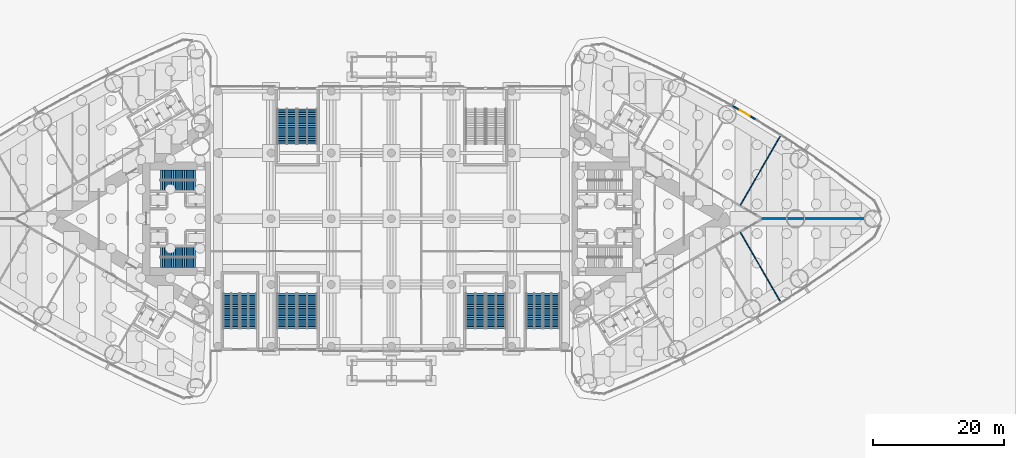
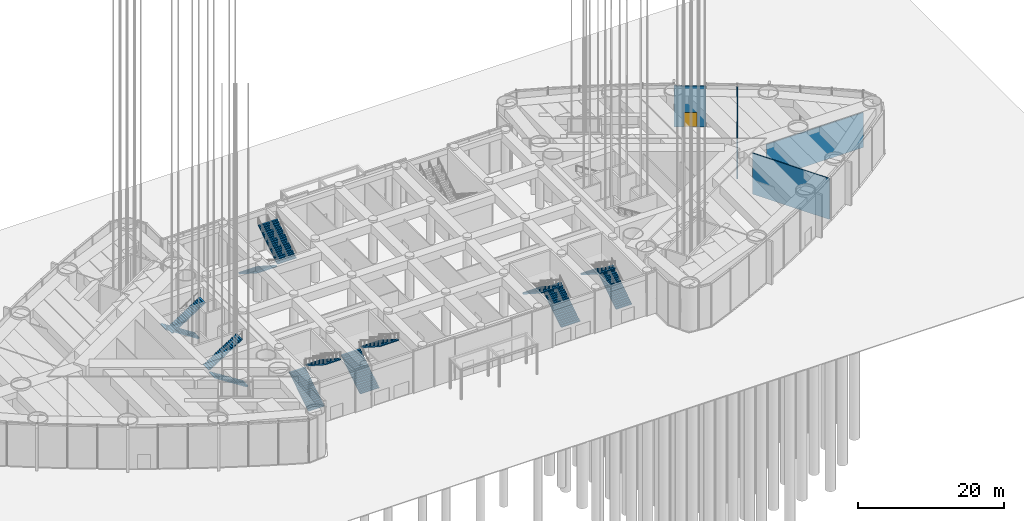
# One storey, part 25 of 43: 14 stair flights, 4 walls, 1 door, 1 opening, 7 elements without a shape of their own.
"""IFC4 building model written with IfcOpenShell, lengths in metres."""

from ifc_helpers import new_model, si_unit, direction, frame, frame_2d, origin, place, context, subcontext, project, spatial, polyline, rectangle, outline, extrude, material, layer, layer_set, type_object, element, fill, aggregate, save


model = new_model("IFC4")

# Units and contexts
model_context = context("Model", 3, precision=1e-05, world=origin(), true_north=direction((0.0, 1.0)))
body_context = subcontext(model_context, "Body", "Model", "MODEL_VIEW")
ifc_project = project(units=[si_unit("LENGTHUNIT", "METRE"), si_unit("AREAUNIT", "SQUARE_METRE"), si_unit("VOLUMEUNIT", "CUBIC_METRE"), si_unit("PLANEANGLEUNIT", "RADIAN"), si_unit("MASSUNIT", "GRAM", prefix="KILO")], contexts=[model_context])

# Site, building, storey
site_placement = place(None, origin())
site = spatial("IfcSite", under=ifc_project, at=site_placement, CompositionType="ELEMENT")
building_placement = place(site_placement, origin())
building = spatial("IfcBuilding", under=site, at=building_placement, Name="Lancet Gate Hotel", CompositionType="ELEMENT")
storey_placement = place(building_placement, origin())
storey = spatial("IfcBuildingStorey", under=building, at=storey_placement, Name="L00", CompositionType="ELEMENT", Elevation=0.0)

# Wall, opening, door
ifc_material_1 = material(Name="Glazed aluminium screen", Category="aluminium")
ifc_layer_1 = layer(ifc_material_1, 0.199951171875)
ifc_layer_set_1 = layer_set([ifc_layer_1], Name="Glazed entrance screen 200")
wall_type_1 = type_object("IfcWallType", Name="Glazed entrance screen 200", PredefinedType="STANDARD", material=ifc_layer_set_1)
wall_1_placement = place(storey_placement, frame((51.838623046875, 17.208740234375, 0.0), z_axis=(0.0, 0.0, 1.0), x_axis=(0.864866989785, -0.502001085637, 0.0)))
wall_1 = element("IfcWall", 1, at=wall_1_placement, inside=storey, type_object=wall_type_1, Name="T2 entrance screen L00", PredefinedType="STANDARD", context=body_context, shape_type="SweptSolid", body=[
    extrude(rectangle(XDim=4.337646484375, YDim=0.199951171875, at=frame_2d((2.1689453125, 0.0))), origin(), (0.0, 0.0, 1.0), 6.85009765625),
])
opening_placement = place(wall_1_placement, frame((1.319091796875, 0.0, 0.0)))
opening = element("IfcOpeningElement", 2, at=opening_placement, cuts=wall_1, Name="Opening T2-ENT-N", PredefinedType="OPENING", context=body_context, shape_type="SweptSolid", body=[
    extrude(rectangle(XDim=1.800048828125, YDim=2.39990234375, at=frame_2d((0.89990234375, 1.199951171875))), frame((0.0, 0.10986328125, 0.0), z_axis=(0.0, -1.0, 0.0), x_axis=(1.0, 0.0, 0.0)), (0.0, 0.0, 1.0), 0.219970703125),
])
ifc_material_2 = material(Name="Glazed aluminium door set", Category="aluminium")
door_type = type_object("IfcDoorType", Name="Entrance door 1800", OperationType="DOUBLE_DOOR_SINGLE_SWING", PredefinedType="DOOR", material=ifc_material_2)
door_placement = place(opening_placement, origin())
door = element("IfcDoor", 3, at=door_placement, inside=storey, type_object=door_type, Name="T2-ENT-N", OperationType="SINGLE_SWING_LEFT", OverallHeight=2.39990234375, OverallWidth=1.800048828125, PredefinedType="DOOR", context=body_context, shape_type="SweptSolid", body=[
    extrude(rectangle(XDim=1.800048828125, YDim=2.39990234375, at=frame_2d((0.89990234375, 1.199951171875))), frame((0.0, 0.02490234375, 0.0), z_axis=(0.0, -1.0, 0.0), x_axis=(1.0, 0.0, 0.0)), (0.0, 0.0, 1.0), 0.050048828125),
])
fill(opening, door)

# Walls
ifc_material_3 = material(Name="Gypsum board partition")
ifc_layer_2 = layer(ifc_material_3, 0.14990234375)
ifc_layer_set_2 = layer_set([ifc_layer_2], Name="Party wall 150")
wall_type_2 = type_object("IfcWallType", Name="Party wall 150", PredefinedType="PARTITIONING", material=ifc_layer_set_2)
for number, where, z_axis, x_axis, name in (
    (4, (53.11474609375, -2.0712890625, 0.0), (0.0, 0.0, 1.0), (0.500000975677, -0.866024840476, 0.0), "T2 party wall 150 L00"),
    (5, (53.11474609375, 2.0712890625, 0.0), (0.0, 0.0, 1.0), (0.500000975677, 0.866024840476, 0.0), "T2 party wall 150 L00"),
):
    element("IfcWall", number, at=place(storey_placement, frame(where, z_axis=z_axis, x_axis=x_axis)), inside=storey, type_object=wall_type_2, Name=name, PredefinedType="PARTITIONING", context=body_context, shape_type="SweptSolid", body=[
        extrude(rectangle(XDim=12.19091796875, YDim=0.14990234375, at=frame_2d((6.095458984375, 0.0))), origin(), (0.0, 0.0, 1.0), 6.85009765625),
    ])
wall_2_placement = place(storey_placement, frame((56.502197265625, 0.0, 0.0), z_axis=(0.0, 0.0, 1.0), x_axis=(1.0, 0.0, 0.0)))
element("IfcWall", 6, at=wall_2_placement, inside=storey, type_object=wall_type_2, Name="T2 party wall 150 L00", PredefinedType="PARTITIONING", context=body_context, shape_type="SweptSolid", body=[
    extrude(rectangle(XDim=15.31689453125, YDim=0.14990234375, at=frame_2d((7.658447265625, 0.0))), origin(), (0.0, 0.0, 1.0), 5.85009765625),
])

# Stair, stair flights
ifc_material_4 = material(Name="Exit stair 40 risers 1500")
stair_type_1 = type_object("IfcStairType", Name="Exit stair 40 risers 1500", PredefinedType="HALF_TURN_STAIR", material=ifc_material_4)
stair_1_placement = place(storey_placement, origin())
stair_1 = element("IfcStair", 7, at=stair_1_placement, inside=storey, type_object=stair_type_1, Name="T1 stair 1 L00", PredefinedType="HALF_TURN_STAIR")
ifc_material_5 = material(Name="Stair flight 20 risers 180 rise 1500")
stair_flight_type_1 = type_object("IfcStairFlightType", Name="Stair flight 20 risers 180 rise 1500", PredefinedType="STRAIGHT", material=ifc_material_5)
stair_flight_1_placement = place(storey_placement, frame((-29.800048828125, 6.64990234375, 0.0), z_axis=(0.0, 0.0, 1.0), x_axis=(-1.0, 0.0, 0.0)))
stair_flight_1 = element("IfcStairFlight", 8, at=stair_flight_1_placement, type_object=stair_flight_type_1, Name="ST1 flight 1", NumberOfRisers=20, NumberOfTreads=19, PredefinedType="STRAIGHT", RiserHeight=0.18, TreadLength=0.28, context=body_context, shape_type="SweptSolid", body=[
    extrude(outline(polyline([(0.0, 0.0), (0.0, 0.179931640625), (0.280029296875, 0.179931640625), (0.280029296875, 0.360107421875), (0.56005859375, 0.360107421875), (0.56005859375, 0.5400390625), (0.840087890625, 0.5400390625), (0.840087890625, 0.719970703125), (1.1201171875, 0.719970703125), (1.1201171875, 0.89990234375), (1.39990234375, 0.89990234375), (1.39990234375, 1.080078125), (1.679931640625, 1.080078125), (1.679931640625, 1.260009765625), (1.9599609375, 1.260009765625), (1.9599609375, 1.43994140625), (2.239990234375, 1.43994140625), (2.239990234375, 1.6201171875), (2.52001953125, 1.6201171875), (2.52001953125, 1.800048828125), (2.800048828125, 1.800048828125), (2.800048828125, 1.97998046875), (3.080078125, 1.97998046875), (3.080078125, 2.159912109375), (3.360107421875, 2.159912109375), (3.360107421875, 2.340087890625), (3.639892578125, 2.340087890625), (3.639892578125, 2.52001953125), (3.919921875, 2.52001953125), (3.919921875, 2.699951171875), (4.199951171875, 2.699951171875), (4.199951171875, 2.8798828125), (4.47998046875, 2.8798828125), (4.47998046875, 3.06005859375), (4.760009765625, 3.06005859375), (4.760009765625, 3.239990234375), (5.0400390625, 3.239990234375), (5.0400390625, 3.419921875), (5.320068359375, 3.419921875), (5.320068359375, 3.60009765625), (5.320068359375, 3.24169921875), (0.277099609375, 0.0), (0.0, 0.0)])), frame((0.0, 0.75, 0.0), z_axis=(0.0, -1.0, 0.0), x_axis=(1.0, 0.0, 0.0)), (0.0, 0.0, 1.0), 1.5),
])
stair_flight_2_placement = place(storey_placement, frame((-35.1201171875, 5.050048828125, 3.60009765625), z_axis=(0.0, 0.0, 1.0), x_axis=(1.0, 0.0, 0.0)))
stair_flight_2 = element("IfcStairFlight", 9, at=stair_flight_2_placement, type_object=stair_flight_type_1, Name="ST1 flight 2", NumberOfRisers=20, NumberOfTreads=19, PredefinedType="STRAIGHT", RiserHeight=0.18, TreadLength=0.28, context=body_context, shape_type="SweptSolid", body=[
    extrude(outline(polyline([(0.0, 0.0), (0.0, 0.179931640625), (0.280029296875, 0.179931640625), (0.280029296875, 0.360107421875), (0.56005859375, 0.360107421875), (0.56005859375, 0.5400390625), (0.840087890625, 0.5400390625), (0.840087890625, 0.719970703125), (1.1201171875, 0.719970703125), (1.1201171875, 0.89990234375), (1.39990234375, 0.89990234375), (1.39990234375, 1.080078125), (1.679931640625, 1.080078125), (1.679931640625, 1.260009765625), (1.9599609375, 1.260009765625), (1.9599609375, 1.43994140625), (2.239990234375, 1.43994140625), (2.239990234375, 1.6201171875), (2.52001953125, 1.6201171875), (2.52001953125, 1.800048828125), (2.800048828125, 1.800048828125), (2.800048828125, 1.97998046875), (3.080078125, 1.97998046875), (3.080078125, 2.159912109375), (3.360107421875, 2.159912109375), (3.360107421875, 2.340087890625), (3.639892578125, 2.340087890625), (3.639892578125, 2.52001953125), (3.919921875, 2.52001953125), (3.919921875, 2.699951171875), (4.199951171875, 2.699951171875), (4.199951171875, 2.8798828125), (4.47998046875, 2.8798828125), (4.47998046875, 3.06005859375), (4.760009765625, 3.06005859375), (4.760009765625, 3.239990234375), (5.0400390625, 3.239990234375), (5.0400390625, 3.419921875), (5.320068359375, 3.419921875), (5.320068359375, 3.60009765625), (5.320068359375, 3.24169921875), (0.277099609375, 0.0), (0.0, 0.0)])), frame((0.0, 0.75, 0.0), z_axis=(0.0, -1.0, 0.0), x_axis=(1.0, 0.0, 0.0)), (0.0, 0.0, 1.0), 1.5),
])
aggregate(stair_1, [stair_flight_1, stair_flight_2])

stair_2_placement = place(storey_placement, origin())
stair_2 = element("IfcStair", 10, at=stair_2_placement, inside=storey, type_object=stair_type_1, Name="T1 stair 2 L00", PredefinedType="HALF_TURN_STAIR")
stair_flight_3_placement = place(storey_placement, frame((-29.800048828125, -6.64990234375, 0.0), z_axis=(0.0, 0.0, 1.0), x_axis=(-1.0, 0.0, 0.0)))
stair_flight_3 = element("IfcStairFlight", 11, at=stair_flight_3_placement, type_object=stair_flight_type_1, Name="ST2 flight 1", NumberOfRisers=20, NumberOfTreads=19, PredefinedType="STRAIGHT", RiserHeight=0.18, TreadLength=0.28, context=body_context, shape_type="SweptSolid", body=[
    extrude(outline(polyline([(0.0, 0.0), (0.0, 0.179931640625), (0.280029296875, 0.179931640625), (0.280029296875, 0.360107421875), (0.56005859375, 0.360107421875), (0.56005859375, 0.5400390625), (0.840087890625, 0.5400390625), (0.840087890625, 0.719970703125), (1.1201171875, 0.719970703125), (1.1201171875, 0.89990234375), (1.39990234375, 0.89990234375), (1.39990234375, 1.080078125), (1.679931640625, 1.080078125), (1.679931640625, 1.260009765625), (1.9599609375, 1.260009765625), (1.9599609375, 1.43994140625), (2.239990234375, 1.43994140625), (2.239990234375, 1.6201171875), (2.52001953125, 1.6201171875), (2.52001953125, 1.800048828125), (2.800048828125, 1.800048828125), (2.800048828125, 1.97998046875), (3.080078125, 1.97998046875), (3.080078125, 2.159912109375), (3.360107421875, 2.159912109375), (3.360107421875, 2.340087890625), (3.639892578125, 2.340087890625), (3.639892578125, 2.52001953125), (3.919921875, 2.52001953125), (3.919921875, 2.699951171875), (4.199951171875, 2.699951171875), (4.199951171875, 2.8798828125), (4.47998046875, 2.8798828125), (4.47998046875, 3.06005859375), (4.760009765625, 3.06005859375), (4.760009765625, 3.239990234375), (5.0400390625, 3.239990234375), (5.0400390625, 3.419921875), (5.320068359375, 3.419921875), (5.320068359375, 3.60009765625), (5.320068359375, 3.24169921875), (0.277099609375, 0.0), (0.0, 0.0)])), frame((0.0, 0.75, 0.0), z_axis=(0.0, -1.0, 0.0), x_axis=(1.0, 0.0, 0.0)), (0.0, 0.0, 1.0), 1.5),
])
stair_flight_4_placement = place(storey_placement, frame((-35.1201171875, -5.050048828125, 3.60009765625), z_axis=(0.0, 0.0, 1.0), x_axis=(1.0, 0.0, 0.0)))
stair_flight_4 = element("IfcStairFlight", 12, at=stair_flight_4_placement, type_object=stair_flight_type_1, Name="ST2 flight 2", NumberOfRisers=20, NumberOfTreads=19, PredefinedType="STRAIGHT", RiserHeight=0.18, TreadLength=0.28, context=body_context, shape_type="SweptSolid", body=[
    extrude(outline(polyline([(0.0, 0.0), (0.0, 0.179931640625), (0.280029296875, 0.179931640625), (0.280029296875, 0.360107421875), (0.56005859375, 0.360107421875), (0.56005859375, 0.5400390625), (0.840087890625, 0.5400390625), (0.840087890625, 0.719970703125), (1.1201171875, 0.719970703125), (1.1201171875, 0.89990234375), (1.39990234375, 0.89990234375), (1.39990234375, 1.080078125), (1.679931640625, 1.080078125), (1.679931640625, 1.260009765625), (1.9599609375, 1.260009765625), (1.9599609375, 1.43994140625), (2.239990234375, 1.43994140625), (2.239990234375, 1.6201171875), (2.52001953125, 1.6201171875), (2.52001953125, 1.800048828125), (2.800048828125, 1.800048828125), (2.800048828125, 1.97998046875), (3.080078125, 1.97998046875), (3.080078125, 2.159912109375), (3.360107421875, 2.159912109375), (3.360107421875, 2.340087890625), (3.639892578125, 2.340087890625), (3.639892578125, 2.52001953125), (3.919921875, 2.52001953125), (3.919921875, 2.699951171875), (4.199951171875, 2.699951171875), (4.199951171875, 2.8798828125), (4.47998046875, 2.8798828125), (4.47998046875, 3.06005859375), (4.760009765625, 3.06005859375), (4.760009765625, 3.239990234375), (5.0400390625, 3.239990234375), (5.0400390625, 3.419921875), (5.320068359375, 3.419921875), (5.320068359375, 3.60009765625), (5.320068359375, 3.24169921875), (0.277099609375, 0.0), (0.0, 0.0)])), frame((0.0, 0.75, 0.0), z_axis=(0.0, -1.0, 0.0), x_axis=(1.0, 0.0, 0.0)), (0.0, 0.0, 1.0), 1.5),
])
aggregate(stair_2, [stair_flight_3, stair_flight_4])

ifc_material_6 = material(Name="Podium stair 40 risers 2500")
stair_type_2 = type_object("IfcStairType", Name="Podium stair 40 risers 2500", PredefinedType="HALF_TURN_STAIR", material=ifc_material_6)
stair_3_placement = place(storey_placement, origin())
stair_3 = element("IfcStair", 13, at=stair_3_placement, inside=storey, type_object=stair_type_2, Name="Podium stair PS5 L00", PredefinedType="HALF_TURN_STAIR")
ifc_material_7 = material(Name="Stair flight 20 risers 180 rise 2500")
stair_flight_type_2 = type_object("IfcStairFlightType", Name="Stair flight 20 risers 180 rise 2500", PredefinedType="STRAIGHT", material=ifc_material_7)
stair_flight_5_placement = place(storey_placement, frame((24.35009765625, -16.699951171875, 0.0), z_axis=(0.0, 0.0, 1.0), x_axis=(0.0, 1.0, 0.0)))
stair_flight_5 = element("IfcStairFlight", 14, at=stair_flight_5_placement, type_object=stair_flight_type_2, Name="PS5 flight 1", NumberOfRisers=20, NumberOfTreads=19, PredefinedType="STRAIGHT", RiserHeight=0.18, TreadLength=0.28, context=body_context, shape_type="SweptSolid", body=[
    extrude(outline(polyline([(0.0, 0.0), (0.0, 0.179931640625), (0.280029296875, 0.179931640625), (0.280029296875, 0.360107421875), (0.56005859375, 0.360107421875), (0.56005859375, 0.5400390625), (0.840087890625, 0.5400390625), (0.840087890625, 0.719970703125), (1.1201171875, 0.719970703125), (1.1201171875, 0.89990234375), (1.39990234375, 0.89990234375), (1.39990234375, 1.080078125), (1.679931640625, 1.080078125), (1.679931640625, 1.260009765625), (1.9599609375, 1.260009765625), (1.9599609375, 1.43994140625), (2.239990234375, 1.43994140625), (2.239990234375, 1.6201171875), (2.52001953125, 1.6201171875), (2.52001953125, 1.800048828125), (2.800048828125, 1.800048828125), (2.800048828125, 1.97998046875), (3.080078125, 1.97998046875), (3.080078125, 2.159912109375), (3.360107421875, 2.159912109375), (3.360107421875, 2.340087890625), (3.639892578125, 2.340087890625), (3.639892578125, 2.52001953125), (3.919921875, 2.52001953125), (3.919921875, 2.699951171875), (4.199951171875, 2.699951171875), (4.199951171875, 2.8798828125), (4.47998046875, 2.8798828125), (4.47998046875, 3.06005859375), (4.760009765625, 3.06005859375), (4.760009765625, 3.239990234375), (5.0400390625, 3.239990234375), (5.0400390625, 3.419921875), (5.320068359375, 3.419921875), (5.320068359375, 3.60009765625), (5.320068359375, 3.24169921875), (0.277099609375, 0.0), (0.0, 0.0)])), frame((0.0, 1.25, 0.0), z_axis=(0.0, -1.0, 0.0), x_axis=(1.0, 0.0, 0.0)), (0.0, 0.0, 1.0), 2.5),
])
stair_flight_6_placement = place(storey_placement, frame((21.75, -11.3798828125, 3.60009765625), z_axis=(0.0, 0.0, 1.0), x_axis=(0.0, -1.0, 0.0)))
stair_flight_6 = element("IfcStairFlight", 15, at=stair_flight_6_placement, type_object=stair_flight_type_2, Name="PS5 flight 2", NumberOfRisers=20, NumberOfTreads=19, PredefinedType="STRAIGHT", RiserHeight=0.18, TreadLength=0.28, context=body_context, shape_type="SweptSolid", body=[
    extrude(outline(polyline([(0.0, 0.0), (0.0, 0.179931640625), (0.280029296875, 0.179931640625), (0.280029296875, 0.360107421875), (0.56005859375, 0.360107421875), (0.56005859375, 0.5400390625), (0.840087890625, 0.5400390625), (0.840087890625, 0.719970703125), (1.1201171875, 0.719970703125), (1.1201171875, 0.89990234375), (1.39990234375, 0.89990234375), (1.39990234375, 1.080078125), (1.679931640625, 1.080078125), (1.679931640625, 1.260009765625), (1.9599609375, 1.260009765625), (1.9599609375, 1.43994140625), (2.239990234375, 1.43994140625), (2.239990234375, 1.6201171875), (2.52001953125, 1.6201171875), (2.52001953125, 1.800048828125), (2.800048828125, 1.800048828125), (2.800048828125, 1.97998046875), (3.080078125, 1.97998046875), (3.080078125, 2.159912109375), (3.360107421875, 2.159912109375), (3.360107421875, 2.340087890625), (3.639892578125, 2.340087890625), (3.639892578125, 2.52001953125), (3.919921875, 2.52001953125), (3.919921875, 2.699951171875), (4.199951171875, 2.699951171875), (4.199951171875, 2.8798828125), (4.47998046875, 2.8798828125), (4.47998046875, 3.06005859375), (4.760009765625, 3.06005859375), (4.760009765625, 3.239990234375), (5.0400390625, 3.239990234375), (5.0400390625, 3.419921875), (5.320068359375, 3.419921875), (5.320068359375, 3.60009765625), (5.320068359375, 3.24169921875), (0.277099609375, 0.0), (0.0, 0.0)])), frame((0.0, 1.25, 0.0), z_axis=(0.0, -1.0, 0.0), x_axis=(1.0, 0.0, 0.0)), (0.0, 0.0, 1.0), 2.5),
])
aggregate(stair_3, [stair_flight_5, stair_flight_6])

stair_4_placement = place(storey_placement, origin())
stair_4 = element("IfcStair", 16, at=stair_4_placement, inside=storey, type_object=stair_type_2, Name="Podium stair PS6 L00", PredefinedType="HALF_TURN_STAIR")
stair_flight_7_placement = place(storey_placement, frame((-24.35009765625, -16.699951171875, 0.0), z_axis=(0.0, 0.0, 1.0), x_axis=(0.0, 1.0, 0.0)))
stair_flight_7 = element("IfcStairFlight", 17, at=stair_flight_7_placement, type_object=stair_flight_type_2, Name="PS6 flight 1", NumberOfRisers=20, NumberOfTreads=19, PredefinedType="STRAIGHT", RiserHeight=0.18, TreadLength=0.28, context=body_context, shape_type="SweptSolid", body=[
    extrude(outline(polyline([(0.0, 0.0), (0.0, 0.179931640625), (0.280029296875, 0.179931640625), (0.280029296875, 0.360107421875), (0.56005859375, 0.360107421875), (0.56005859375, 0.5400390625), (0.840087890625, 0.5400390625), (0.840087890625, 0.719970703125), (1.1201171875, 0.719970703125), (1.1201171875, 0.89990234375), (1.39990234375, 0.89990234375), (1.39990234375, 1.080078125), (1.679931640625, 1.080078125), (1.679931640625, 1.260009765625), (1.9599609375, 1.260009765625), (1.9599609375, 1.43994140625), (2.239990234375, 1.43994140625), (2.239990234375, 1.6201171875), (2.52001953125, 1.6201171875), (2.52001953125, 1.800048828125), (2.800048828125, 1.800048828125), (2.800048828125, 1.97998046875), (3.080078125, 1.97998046875), (3.080078125, 2.159912109375), (3.360107421875, 2.159912109375), (3.360107421875, 2.340087890625), (3.639892578125, 2.340087890625), (3.639892578125, 2.52001953125), (3.919921875, 2.52001953125), (3.919921875, 2.699951171875), (4.199951171875, 2.699951171875), (4.199951171875, 2.8798828125), (4.47998046875, 2.8798828125), (4.47998046875, 3.06005859375), (4.760009765625, 3.06005859375), (4.760009765625, 3.239990234375), (5.0400390625, 3.239990234375), (5.0400390625, 3.419921875), (5.320068359375, 3.419921875), (5.320068359375, 3.60009765625), (5.320068359375, 3.24169921875), (0.277099609375, 0.0), (0.0, 0.0)])), frame((0.0, 1.25, 0.0), z_axis=(0.0, -1.0, 0.0), x_axis=(1.0, 0.0, 0.0)), (0.0, 0.0, 1.0), 2.5),
])
stair_flight_8_placement = place(storey_placement, frame((-21.75, -11.3798828125, 3.60009765625), z_axis=(0.0, 0.0, 1.0), x_axis=(0.0, -1.0, 0.0)))
stair_flight_8 = element("IfcStairFlight", 18, at=stair_flight_8_placement, type_object=stair_flight_type_2, Name="PS6 flight 2", NumberOfRisers=20, NumberOfTreads=19, PredefinedType="STRAIGHT", RiserHeight=0.18, TreadLength=0.28, context=body_context, shape_type="SweptSolid", body=[
    extrude(outline(polyline([(0.0, 0.0), (0.0, 0.179931640625), (0.280029296875, 0.179931640625), (0.280029296875, 0.360107421875), (0.56005859375, 0.360107421875), (0.56005859375, 0.5400390625), (0.840087890625, 0.5400390625), (0.840087890625, 0.719970703125), (1.1201171875, 0.719970703125), (1.1201171875, 0.89990234375), (1.39990234375, 0.89990234375), (1.39990234375, 1.080078125), (1.679931640625, 1.080078125), (1.679931640625, 1.260009765625), (1.9599609375, 1.260009765625), (1.9599609375, 1.43994140625), (2.239990234375, 1.43994140625), (2.239990234375, 1.6201171875), (2.52001953125, 1.6201171875), (2.52001953125, 1.800048828125), (2.800048828125, 1.800048828125), (2.800048828125, 1.97998046875), (3.080078125, 1.97998046875), (3.080078125, 2.159912109375), (3.360107421875, 2.159912109375), (3.360107421875, 2.340087890625), (3.639892578125, 2.340087890625), (3.639892578125, 2.52001953125), (3.919921875, 2.52001953125), (3.919921875, 2.699951171875), (4.199951171875, 2.699951171875), (4.199951171875, 2.8798828125), (4.47998046875, 2.8798828125), (4.47998046875, 3.06005859375), (4.760009765625, 3.06005859375), (4.760009765625, 3.239990234375), (5.0400390625, 3.239990234375), (5.0400390625, 3.419921875), (5.320068359375, 3.419921875), (5.320068359375, 3.60009765625), (5.320068359375, 3.24169921875), (0.277099609375, 0.0), (0.0, 0.0)])), frame((0.0, 1.25, 0.0), z_axis=(0.0, -1.0, 0.0), x_axis=(1.0, 0.0, 0.0)), (0.0, 0.0, 1.0), 2.5),
])
aggregate(stair_4, [stair_flight_7, stair_flight_8])

ifc_material_8 = material(Name="Podium stair 40 risers 3000")
stair_type_3 = type_object("IfcStairType", Name="Podium stair 40 risers 3000", PredefinedType="HALF_TURN_STAIR", material=ifc_material_8)
stair_5_placement = place(storey_placement, origin())
stair_5 = element("IfcStair", 19, at=stair_5_placement, inside=storey, type_object=stair_type_3, Name="Podium stair PS1 L00", PredefinedType="HALF_TURN_STAIR")
ifc_material_9 = material(Name="Stair flight 20 risers 180 rise 3000")
stair_flight_type_3 = type_object("IfcStairFlightType", Name="Stair flight 20 risers 180 rise 3000", PredefinedType="STRAIGHT", material=ifc_material_9)
stair_flight_9_placement = place(storey_placement, frame((15.89990234375, -16.699951171875, 0.0), z_axis=(0.0, 0.0, 1.0), x_axis=(0.0, 1.0, 0.0)))
stair_flight_9 = element("IfcStairFlight", 20, at=stair_flight_9_placement, type_object=stair_flight_type_3, Name="PS1 flight 1", NumberOfRisers=20, NumberOfTreads=19, PredefinedType="STRAIGHT", RiserHeight=0.18, TreadLength=0.28, context=body_context, shape_type="SweptSolid", body=[
    extrude(outline(polyline([(0.0, 0.0), (0.0, 0.179931640625), (0.280029296875, 0.179931640625), (0.280029296875, 0.360107421875), (0.56005859375, 0.360107421875), (0.56005859375, 0.5400390625), (0.840087890625, 0.5400390625), (0.840087890625, 0.719970703125), (1.1201171875, 0.719970703125), (1.1201171875, 0.89990234375), (1.39990234375, 0.89990234375), (1.39990234375, 1.080078125), (1.679931640625, 1.080078125), (1.679931640625, 1.260009765625), (1.9599609375, 1.260009765625), (1.9599609375, 1.43994140625), (2.239990234375, 1.43994140625), (2.239990234375, 1.6201171875), (2.52001953125, 1.6201171875), (2.52001953125, 1.800048828125), (2.800048828125, 1.800048828125), (2.800048828125, 1.97998046875), (3.080078125, 1.97998046875), (3.080078125, 2.159912109375), (3.360107421875, 2.159912109375), (3.360107421875, 2.340087890625), (3.639892578125, 2.340087890625), (3.639892578125, 2.52001953125), (3.919921875, 2.52001953125), (3.919921875, 2.699951171875), (4.199951171875, 2.699951171875), (4.199951171875, 2.8798828125), (4.47998046875, 2.8798828125), (4.47998046875, 3.06005859375), (4.760009765625, 3.06005859375), (4.760009765625, 3.239990234375), (5.0400390625, 3.239990234375), (5.0400390625, 3.419921875), (5.320068359375, 3.419921875), (5.320068359375, 3.60009765625), (5.320068359375, 3.24169921875), (0.277099609375, 0.0), (0.0, 0.0)])), frame((0.0, 1.5, 0.0), z_axis=(0.0, -1.0, 0.0), x_axis=(1.0, 0.0, 0.0)), (0.0, 0.0, 1.0), 3.0),
])
stair_flight_10_placement = place(storey_placement, frame((12.800048828125, -11.3798828125, 3.60009765625), z_axis=(0.0, 0.0, 1.0), x_axis=(0.0, -1.0, 0.0)))
stair_flight_10 = element("IfcStairFlight", 21, at=stair_flight_10_placement, type_object=stair_flight_type_3, Name="PS1 flight 2", NumberOfRisers=20, NumberOfTreads=19, PredefinedType="STRAIGHT", RiserHeight=0.18, TreadLength=0.28, context=body_context, shape_type="SweptSolid", body=[
    extrude(outline(polyline([(0.0, 0.0), (0.0, 0.179931640625), (0.280029296875, 0.179931640625), (0.280029296875, 0.360107421875), (0.56005859375, 0.360107421875), (0.56005859375, 0.5400390625), (0.840087890625, 0.5400390625), (0.840087890625, 0.719970703125), (1.1201171875, 0.719970703125), (1.1201171875, 0.89990234375), (1.39990234375, 0.89990234375), (1.39990234375, 1.080078125), (1.679931640625, 1.080078125), (1.679931640625, 1.260009765625), (1.9599609375, 1.260009765625), (1.9599609375, 1.43994140625), (2.239990234375, 1.43994140625), (2.239990234375, 1.6201171875), (2.52001953125, 1.6201171875), (2.52001953125, 1.800048828125), (2.800048828125, 1.800048828125), (2.800048828125, 1.97998046875), (3.080078125, 1.97998046875), (3.080078125, 2.159912109375), (3.360107421875, 2.159912109375), (3.360107421875, 2.340087890625), (3.639892578125, 2.340087890625), (3.639892578125, 2.52001953125), (3.919921875, 2.52001953125), (3.919921875, 2.699951171875), (4.199951171875, 2.699951171875), (4.199951171875, 2.8798828125), (4.47998046875, 2.8798828125), (4.47998046875, 3.06005859375), (4.760009765625, 3.06005859375), (4.760009765625, 3.239990234375), (5.0400390625, 3.239990234375), (5.0400390625, 3.419921875), (5.320068359375, 3.419921875), (5.320068359375, 3.60009765625), (5.320068359375, 3.24169921875), (0.277099609375, 0.0), (0.0, 0.0)])), frame((0.0, 1.5, 0.0), z_axis=(0.0, -1.0, 0.0), x_axis=(1.0, 0.0, 0.0)), (0.0, 0.0, 1.0), 3.0),
])
aggregate(stair_5, [stair_flight_9, stair_flight_10])

stair_6_placement = place(storey_placement, origin())
stair_6 = element("IfcStair", 22, at=stair_6_placement, inside=storey, type_object=stair_type_3, Name="Podium stair PS3 L00", PredefinedType="HALF_TURN_STAIR")
stair_flight_11_placement = place(storey_placement, frame((-15.89990234375, -16.699951171875, 0.0), z_axis=(0.0, 0.0, 1.0), x_axis=(0.0, 1.0, 0.0)))
stair_flight_11 = element("IfcStairFlight", 23, at=stair_flight_11_placement, type_object=stair_flight_type_3, Name="PS3 flight 1", NumberOfRisers=20, NumberOfTreads=19, PredefinedType="STRAIGHT", RiserHeight=0.18, TreadLength=0.28, context=body_context, shape_type="SweptSolid", body=[
    extrude(outline(polyline([(0.0, 0.0), (0.0, 0.179931640625), (0.280029296875, 0.179931640625), (0.280029296875, 0.360107421875), (0.56005859375, 0.360107421875), (0.56005859375, 0.5400390625), (0.840087890625, 0.5400390625), (0.840087890625, 0.719970703125), (1.1201171875, 0.719970703125), (1.1201171875, 0.89990234375), (1.39990234375, 0.89990234375), (1.39990234375, 1.080078125), (1.679931640625, 1.080078125), (1.679931640625, 1.260009765625), (1.9599609375, 1.260009765625), (1.9599609375, 1.43994140625), (2.239990234375, 1.43994140625), (2.239990234375, 1.6201171875), (2.52001953125, 1.6201171875), (2.52001953125, 1.800048828125), (2.800048828125, 1.800048828125), (2.800048828125, 1.97998046875), (3.080078125, 1.97998046875), (3.080078125, 2.159912109375), (3.360107421875, 2.159912109375), (3.360107421875, 2.340087890625), (3.639892578125, 2.340087890625), (3.639892578125, 2.52001953125), (3.919921875, 2.52001953125), (3.919921875, 2.699951171875), (4.199951171875, 2.699951171875), (4.199951171875, 2.8798828125), (4.47998046875, 2.8798828125), (4.47998046875, 3.06005859375), (4.760009765625, 3.06005859375), (4.760009765625, 3.239990234375), (5.0400390625, 3.239990234375), (5.0400390625, 3.419921875), (5.320068359375, 3.419921875), (5.320068359375, 3.60009765625), (5.320068359375, 3.24169921875), (0.277099609375, 0.0), (0.0, 0.0)])), frame((0.0, 1.5, 0.0), z_axis=(0.0, -1.0, 0.0), x_axis=(1.0, 0.0, 0.0)), (0.0, 0.0, 1.0), 3.0),
])
stair_flight_12_placement = place(storey_placement, frame((-12.800048828125, -11.3798828125, 3.60009765625), z_axis=(0.0, 0.0, 1.0), x_axis=(0.0, -1.0, 0.0)))
stair_flight_12 = element("IfcStairFlight", 24, at=stair_flight_12_placement, type_object=stair_flight_type_3, Name="PS3 flight 2", NumberOfRisers=20, NumberOfTreads=19, PredefinedType="STRAIGHT", RiserHeight=0.18, TreadLength=0.28, context=body_context, shape_type="SweptSolid", body=[
    extrude(outline(polyline([(0.0, 0.0), (0.0, 0.179931640625), (0.280029296875, 0.179931640625), (0.280029296875, 0.360107421875), (0.56005859375, 0.360107421875), (0.56005859375, 0.5400390625), (0.840087890625, 0.5400390625), (0.840087890625, 0.719970703125), (1.1201171875, 0.719970703125), (1.1201171875, 0.89990234375), (1.39990234375, 0.89990234375), (1.39990234375, 1.080078125), (1.679931640625, 1.080078125), (1.679931640625, 1.260009765625), (1.9599609375, 1.260009765625), (1.9599609375, 1.43994140625), (2.239990234375, 1.43994140625), (2.239990234375, 1.6201171875), (2.52001953125, 1.6201171875), (2.52001953125, 1.800048828125), (2.800048828125, 1.800048828125), (2.800048828125, 1.97998046875), (3.080078125, 1.97998046875), (3.080078125, 2.159912109375), (3.360107421875, 2.159912109375), (3.360107421875, 2.340087890625), (3.639892578125, 2.340087890625), (3.639892578125, 2.52001953125), (3.919921875, 2.52001953125), (3.919921875, 2.699951171875), (4.199951171875, 2.699951171875), (4.199951171875, 2.8798828125), (4.47998046875, 2.8798828125), (4.47998046875, 3.06005859375), (4.760009765625, 3.06005859375), (4.760009765625, 3.239990234375), (5.0400390625, 3.239990234375), (5.0400390625, 3.419921875), (5.320068359375, 3.419921875), (5.320068359375, 3.60009765625), (5.320068359375, 3.24169921875), (0.277099609375, 0.0), (0.0, 0.0)])), frame((0.0, 1.5, 0.0), z_axis=(0.0, -1.0, 0.0), x_axis=(1.0, 0.0, 0.0)), (0.0, 0.0, 1.0), 3.0),
])
aggregate(stair_6, [stair_flight_11, stair_flight_12])

stair_7_placement = place(storey_placement, origin())
stair_7 = element("IfcStair", 25, at=stair_7_placement, inside=storey, type_object=stair_type_3, Name="Podium stair PS4 L00", PredefinedType="HALF_TURN_STAIR")
stair_flight_13_placement = place(storey_placement, frame((-15.89990234375, 16.699951171875, 0.0), z_axis=(0.0, 0.0, 1.0), x_axis=(0.0, -1.0, 0.0)))
stair_flight_13 = element("IfcStairFlight", 26, at=stair_flight_13_placement, type_object=stair_flight_type_3, Name="PS4 flight 1", NumberOfRisers=20, NumberOfTreads=19, PredefinedType="STRAIGHT", RiserHeight=0.18, TreadLength=0.28, context=body_context, shape_type="SweptSolid", body=[
    extrude(outline(polyline([(0.0, 0.0), (0.0, 0.179931640625), (0.280029296875, 0.179931640625), (0.280029296875, 0.360107421875), (0.56005859375, 0.360107421875), (0.56005859375, 0.5400390625), (0.840087890625, 0.5400390625), (0.840087890625, 0.719970703125), (1.1201171875, 0.719970703125), (1.1201171875, 0.89990234375), (1.39990234375, 0.89990234375), (1.39990234375, 1.080078125), (1.679931640625, 1.080078125), (1.679931640625, 1.260009765625), (1.9599609375, 1.260009765625), (1.9599609375, 1.43994140625), (2.239990234375, 1.43994140625), (2.239990234375, 1.6201171875), (2.52001953125, 1.6201171875), (2.52001953125, 1.800048828125), (2.800048828125, 1.800048828125), (2.800048828125, 1.97998046875), (3.080078125, 1.97998046875), (3.080078125, 2.159912109375), (3.360107421875, 2.159912109375), (3.360107421875, 2.340087890625), (3.639892578125, 2.340087890625), (3.639892578125, 2.52001953125), (3.919921875, 2.52001953125), (3.919921875, 2.699951171875), (4.199951171875, 2.699951171875), (4.199951171875, 2.8798828125), (4.47998046875, 2.8798828125), (4.47998046875, 3.06005859375), (4.760009765625, 3.06005859375), (4.760009765625, 3.239990234375), (5.0400390625, 3.239990234375), (5.0400390625, 3.419921875), (5.320068359375, 3.419921875), (5.320068359375, 3.60009765625), (5.320068359375, 3.24169921875), (0.277099609375, 0.0), (0.0, 0.0)])), frame((0.0, 1.5, 0.0), z_axis=(0.0, -1.0, 0.0), x_axis=(1.0, 0.0, 0.0)), (0.0, 0.0, 1.0), 3.0),
])
stair_flight_14_placement = place(storey_placement, frame((-12.800048828125, 11.3798828125, 3.60009765625), z_axis=(0.0, 0.0, 1.0), x_axis=(0.0, 1.0, 0.0)))
stair_flight_14 = element("IfcStairFlight", 27, at=stair_flight_14_placement, type_object=stair_flight_type_3, Name="PS4 flight 2", NumberOfRisers=20, NumberOfTreads=19, PredefinedType="STRAIGHT", RiserHeight=0.18, TreadLength=0.28, context=body_context, shape_type="SweptSolid", body=[
    extrude(outline(polyline([(0.0, 0.0), (0.0, 0.179931640625), (0.280029296875, 0.179931640625), (0.280029296875, 0.360107421875), (0.56005859375, 0.360107421875), (0.56005859375, 0.5400390625), (0.840087890625, 0.5400390625), (0.840087890625, 0.719970703125), (1.1201171875, 0.719970703125), (1.1201171875, 0.89990234375), (1.39990234375, 0.89990234375), (1.39990234375, 1.080078125), (1.679931640625, 1.080078125), (1.679931640625, 1.260009765625), (1.9599609375, 1.260009765625), (1.9599609375, 1.43994140625), (2.239990234375, 1.43994140625), (2.239990234375, 1.6201171875), (2.52001953125, 1.6201171875), (2.52001953125, 1.800048828125), (2.800048828125, 1.800048828125), (2.800048828125, 1.97998046875), (3.080078125, 1.97998046875), (3.080078125, 2.159912109375), (3.360107421875, 2.159912109375), (3.360107421875, 2.340087890625), (3.639892578125, 2.340087890625), (3.639892578125, 2.52001953125), (3.919921875, 2.52001953125), (3.919921875, 2.699951171875), (4.199951171875, 2.699951171875), (4.199951171875, 2.8798828125), (4.47998046875, 2.8798828125), (4.47998046875, 3.06005859375), (4.760009765625, 3.06005859375), (4.760009765625, 3.239990234375), (5.0400390625, 3.239990234375), (5.0400390625, 3.419921875), (5.320068359375, 3.419921875), (5.320068359375, 3.60009765625), (5.320068359375, 3.24169921875), (0.277099609375, 0.0), (0.0, 0.0)])), frame((0.0, 1.5, 0.0), z_axis=(0.0, -1.0, 0.0), x_axis=(1.0, 0.0, 0.0)), (0.0, 0.0, 1.0), 3.0),
])
aggregate(stair_7, [stair_flight_13, stair_flight_14])

save(model, "model.ifc")
